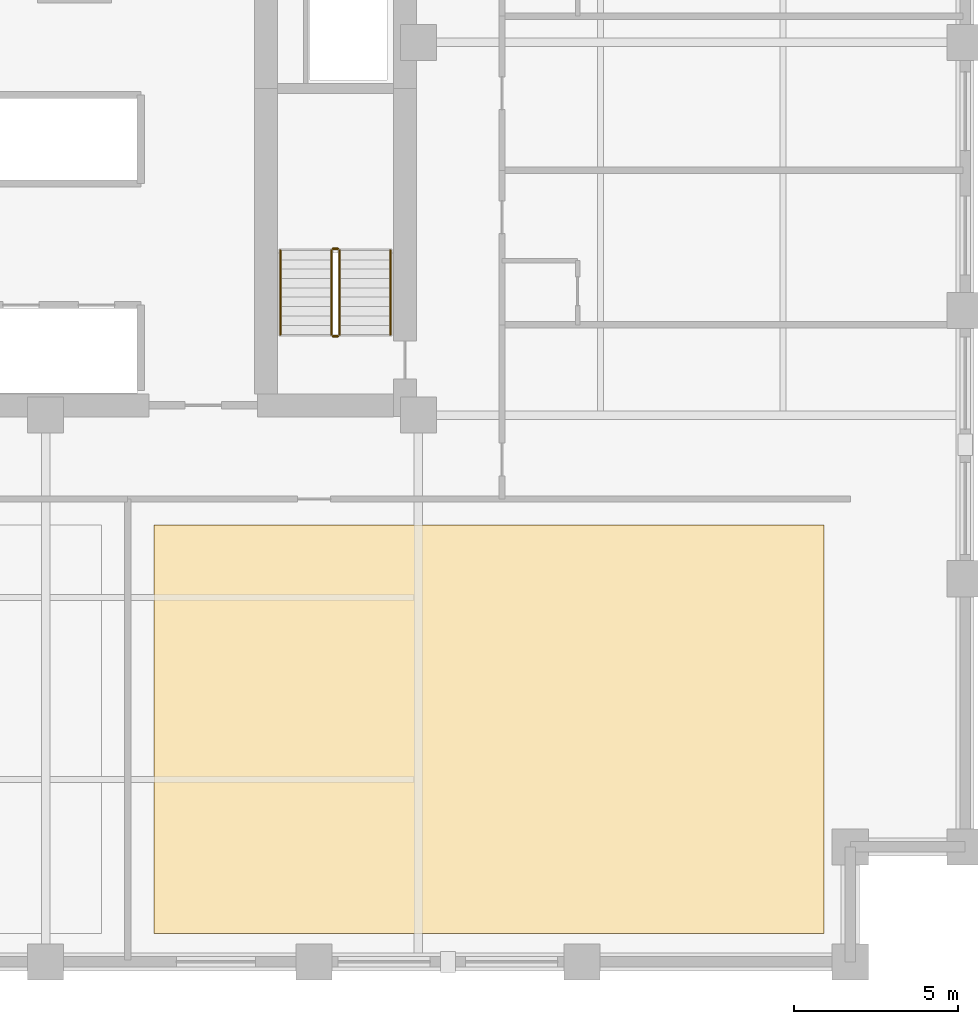
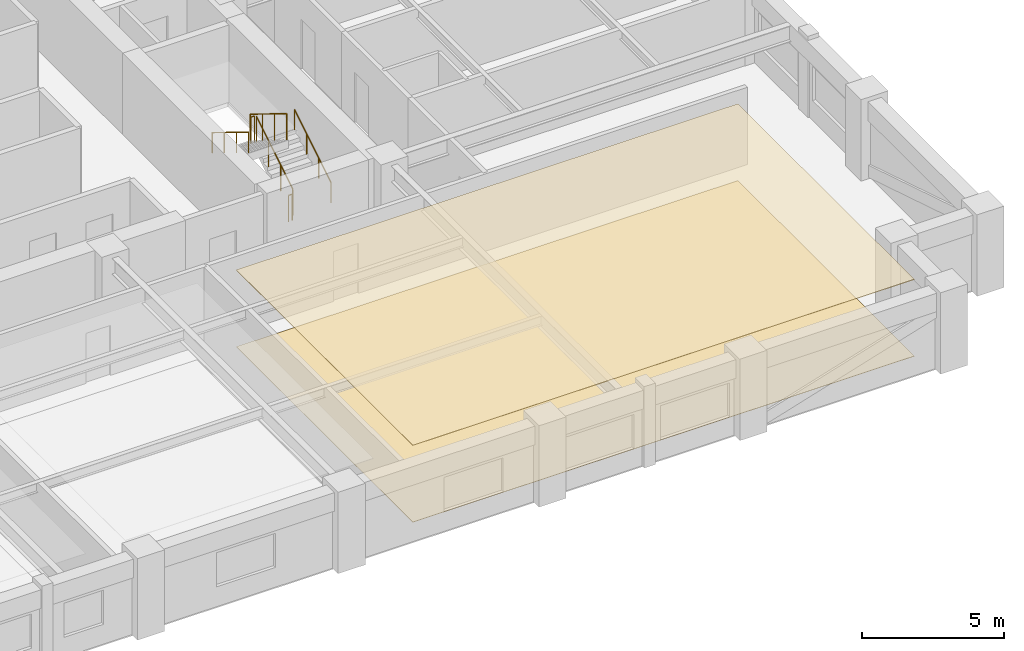
# One storey, part 10 of 12: 6 railings, 2 coverings.
"""IFC4 building model written with IfcOpenShell, lengths in metres."""

from ifc_helpers import new_model, si_unit, direction, frame, origin, origin_2d, place, context, subcontext, project, spatial, polyline, circle, outline, extrude, material, layer, layer_set, type_object, element, save


model = new_model("IFC4")

# Units and contexts
model_context = context("Model", 3, precision=1e-05, world=origin(), true_north=direction((0.0, 1.0)))
body_context = subcontext(model_context, "Body", "Model", "MODEL_VIEW")
ifc_project = project(units=[si_unit("LENGTHUNIT", "METRE"), si_unit("AREAUNIT", "SQUARE_METRE"), si_unit("VOLUMEUNIT", "CUBIC_METRE"), si_unit("PLANEANGLEUNIT", "RADIAN"), si_unit("MASSUNIT", "GRAM", prefix="KILO")], contexts=[model_context])

# Site, building, storey
site_placement = place(None, origin())
site = spatial("IfcSite", under=ifc_project, at=site_placement, CompositionType="ELEMENT")
building_placement = place(site_placement, origin())
building = spatial("IfcBuilding", under=site, at=building_placement, Name="Nhamokura Convention Tower", CompositionType="ELEMENT")
storey_placement = place(building_placement, frame((0.0, 0.0, 49.35009765625)))
storey = spatial("IfcBuildingStorey", under=building, at=storey_placement, Name="L10", CompositionType="ELEMENT", Elevation=49.35009765625)

# Covering
ifc_material_1 = material(Name="Mineral-fibre acoustic ceiling tile", Category="gypsum")
ifc_layer_1 = layer(ifc_material_1, 0.02490234375)
ifc_layer_set_1 = layer_set([ifc_layer_1], Name="AcousticTileCeiling_25")
covering_type_1 = type_object("IfcCoveringType", Name="AcousticTileCeiling_25", PredefinedType="CEILING", material=ifc_layer_set_1)
covering_1_placement = place(storey_placement, frame((0.0, 0.0, 3.294921875)))
element("IfcCovering", 1, at=covering_1_placement, inside=storey, type_object=covering_type_1, Name="L10 Suspended Ceiling 03", PredefinedType="CEILING", context=body_context, shape_type="SweptSolid", body=[
    extrude(outline(polyline([(35.300048828125, 4.860107421875), (55.699951171875, 4.860107421875), (55.699951171875, 17.300048828125), (35.300048828125, 17.300048828125), (35.300048828125, 4.860107421875)])), origin(), (0.0, 0.0, 1.0), 0.02490234375),
])

# Railings
ifc_material_2 = material(Name="Anodised bronze stainless steel", Category="steel")
railing_type_1 = type_object("IfcRailingType", Name="StairWallHandrail_900", PredefinedType="HANDRAIL", material=ifc_material_2)
railing_1_placement = place(storey_placement, frame((42.5, 23.10009765625, 0.1748046875)))
element("IfcRailing", 2, at=railing_1_placement, inside=storey, type_object=railing_type_1, Name="L10 ST-02 stair handrail 1", PredefinedType="HANDRAIL", context=body_context, shape_type="SweptSolid", body=[
    extrude(circle(Radius=0.02392578125, at=origin_2d()), frame((0.0, 0.0, 0.8759765625), z_axis=(0.0, 0.85213695991, 0.523318833556), x_axis=(-1.0, 0.0, 0.0)), (0.0, 0.0, 1.0), 3.010009765625),
    extrude(circle(Radius=0.02099609375, at=origin_2d()), origin(), (0.0, 0.0, 1.0), 0.851806640625),
    extrude(circle(Radius=0.02099609375, at=origin_2d()), frame((0.0, 0.85498046875, 0.525146484375)), (0.0, 0.0, 1.0), 0.851806640625),
    extrude(circle(Radius=0.02099609375, at=origin_2d()), frame((0.0, 1.7099609375, 1.050048828125)), (0.0, 0.0, 1.0), 0.851806640625),
    extrude(circle(Radius=0.02099609375, at=origin_2d()), frame((0.0, 2.56494140625, 1.5751953125)), (0.0, 0.0, 1.0), 0.851806640625),
])
railing_2_placement = place(storey_placement, frame((39.14990234375, 25.6650390625, 1.9248046875)))
element("IfcRailing", 3, at=railing_2_placement, inside=storey, type_object=railing_type_1, Name="L10 ST-02 stair handrail 2", PredefinedType="HANDRAIL", context=body_context, shape_type="SweptSolid", body=[
    extrude(circle(Radius=0.02392578125, at=origin_2d()), frame((0.0, 0.0, 0.8759765625), z_axis=(0.0, -0.85213695991, 0.523318833556), x_axis=(1.0, 0.0, 0.0)), (0.0, 0.0, 1.0), 3.010009765625),
    extrude(circle(Radius=0.02099609375, at=origin_2d()), origin(), (0.0, 0.0, 1.0), 0.851806640625),
    extrude(circle(Radius=0.02099609375, at=origin_2d()), frame((0.0, -0.85498046875, 0.525146484375)), (0.0, 0.0, 1.0), 0.851806640625),
    extrude(circle(Radius=0.02099609375, at=origin_2d()), frame((0.0, -1.7099609375, 1.050048828125)), (0.0, 0.0, 1.0), 0.851806640625),
    extrude(circle(Radius=0.02099609375, at=origin_2d()), frame((0.0, -2.56494140625, 1.5751953125)), (0.0, 0.0, 1.0), 0.851806640625),
])
ifc_material_3 = material(Name="Painted tubular steel", Category="steel")
railing_type_2 = type_object("IfcRailingType", Name="StairWellGuardrail_1150", PredefinedType="GUARDRAIL", material=ifc_material_3)
railing_3_placement = place(storey_placement, frame((40.949951171875, 23.10009765625, 0.1748046875)))
element("IfcRailing", 4, at=railing_3_placement, inside=storey, type_object=railing_type_2, Name="L10 ST-02 stair guard 1", PredefinedType="GUARDRAIL", context=body_context, shape_type="SweptSolid", body=[
    extrude(circle(Radius=0.02392578125, at=origin_2d()), frame((0.0, 0.0, 1.1259765625), z_axis=(0.0, 0.85213695991, 0.523318833556), x_axis=(-1.0, 0.0, 0.0)), (0.0, 0.0, 1.0), 3.010009765625),
    extrude(circle(Radius=0.02099609375, at=origin_2d()), origin(), (0.0, 0.0, 1.0), 1.101806640625),
    extrude(circle(Radius=0.02099609375, at=origin_2d()), frame((0.0, 0.85498046875, 0.525146484375)), (0.0, 0.0, 1.0), 1.101806640625),
    extrude(circle(Radius=0.02099609375, at=origin_2d()), frame((0.0, 1.7099609375, 1.050048828125)), (0.0, 0.0, 1.0), 1.101806640625),
    extrude(circle(Radius=0.02099609375, at=origin_2d()), frame((0.0, 2.56494140625, 1.5751953125)), (0.0, 0.0, 1.0), 1.101806640625),
])
railing_4_placement = place(storey_placement, frame((40.89990234375, 25.715087890625, 1.75)))
element("IfcRailing", 5, at=railing_4_placement, inside=storey, type_object=railing_type_2, Name="L10 ST-02 stair guard 2", PredefinedType="GUARDRAIL", context=body_context, shape_type="SweptSolid", body=[
    extrude(circle(Radius=0.02392578125, at=origin_2d()), frame((0.0, 0.0, 1.1259765625), z_axis=(-1.0, 0.0, 0.0), x_axis=(0.0, -1.0, 0.0)), (0.0, 0.0, 1.0), 0.14990234375),
    extrude(circle(Radius=0.02099609375, at=origin_2d()), origin(), (0.0, 0.0, 1.0), 1.101806640625),
    extrude(circle(Radius=0.02099609375, at=origin_2d()), frame((-0.14990234375, 0.0, 0.0)), (0.0, 0.0, 1.0), 1.101806640625),
])
railing_5_placement = place(storey_placement, frame((40.699951171875, 25.6650390625, 1.9248046875)))
element("IfcRailing", 6, at=railing_5_placement, inside=storey, type_object=railing_type_2, Name="L10 ST-02 stair guard 3", PredefinedType="GUARDRAIL", context=body_context, shape_type="SweptSolid", body=[
    extrude(circle(Radius=0.02392578125, at=origin_2d()), frame((0.0, 0.0, 1.1259765625), z_axis=(0.0, -0.85213695991, 0.523318833556), x_axis=(1.0, 0.0, 0.0)), (0.0, 0.0, 1.0), 3.010009765625),
    extrude(circle(Radius=0.02099609375, at=origin_2d()), origin(), (0.0, 0.0, 1.0), 1.101806640625),
    extrude(circle(Radius=0.02099609375, at=origin_2d()), frame((0.0, -0.85498046875, 0.525146484375)), (0.0, 0.0, 1.0), 1.101806640625),
    extrude(circle(Radius=0.02099609375, at=origin_2d()), frame((0.0, -1.7099609375, 1.050048828125)), (0.0, 0.0, 1.0), 1.101806640625),
    extrude(circle(Radius=0.02099609375, at=origin_2d()), frame((0.0, -2.56494140625, 1.5751953125)), (0.0, 0.0, 1.0), 1.101806640625),
])
railing_6_placement = place(storey_placement, frame((40.89990234375, 23.050048828125, 0.0)))
element("IfcRailing", 7, at=railing_6_placement, inside=storey, type_object=railing_type_2, Name="L10 ST-02 stair guard 4", PredefinedType="GUARDRAIL", context=body_context, shape_type="SweptSolid", body=[
    extrude(circle(Radius=0.02392578125, at=origin_2d()), frame((0.0, 0.0, 1.1259765625), z_axis=(-1.0, 0.0, 0.0), x_axis=(0.0, -1.0, 0.0)), (0.0, 0.0, 1.0), 0.14990234375),
    extrude(circle(Radius=0.02099609375, at=origin_2d()), origin(), (0.0, 0.0, 1.0), 1.101806640625),
    extrude(circle(Radius=0.02099609375, at=origin_2d()), frame((-0.14990234375, 0.0, 0.0)), (0.0, 0.0, 1.0), 1.101806640625),
])

# Covering
ifc_material_4 = material(Name="Acoustic woven hospitality carpet", Category="wood")
ifc_layer_2 = layer(ifc_material_4, 0.014892578125)
ifc_layer_set_2 = layer_set([ifc_layer_2], Name="WovenCarpetFlooring_15")
covering_type_2 = type_object("IfcCoveringType", Name="WovenCarpetFlooring_15", PredefinedType="FLOORING", material=ifc_layer_set_2)
covering_2_placement = place(storey_placement, origin())
element("IfcCovering", 8, at=covering_2_placement, inside=storey, type_object=covering_type_2, Name="L10 Finish Flooring 03", PredefinedType="FLOORING", context=body_context, shape_type="SweptSolid", body=[
    extrude(outline(polyline([(35.300048828125, 4.860107421875), (55.699951171875, 4.860107421875), (55.699951171875, 17.300048828125), (35.300048828125, 17.300048828125), (35.300048828125, 4.860107421875)])), origin(), (0.0, 0.0, 1.0), 0.014892578125),
])

save(model, "model.ifc")
